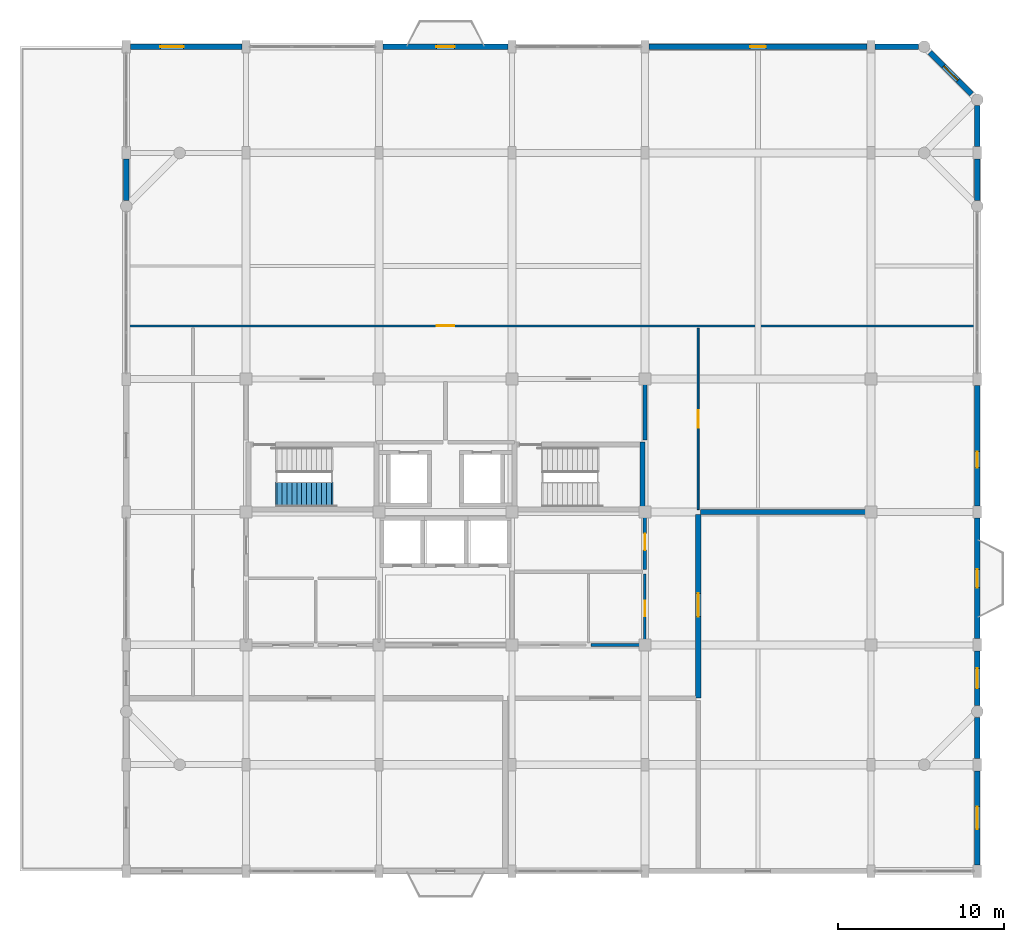
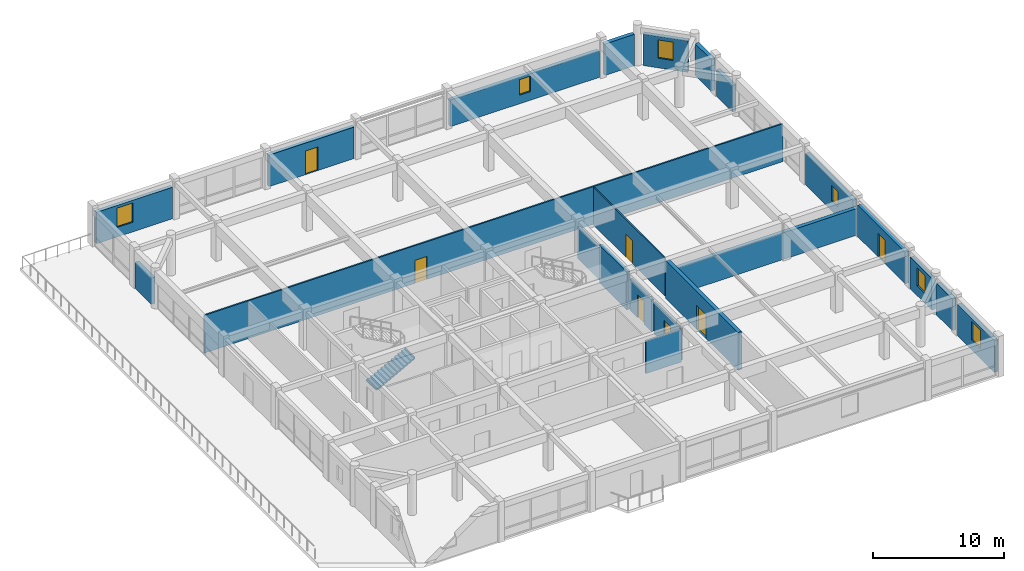
# One storey, part 11 of 13: 22 walls, 7 doors, 6 windows, 1 stair flight, 13 openings, 1 element without a shape of its own.
"""IFC4 building model written with IfcOpenShell, lengths in metres."""

from ifc_helpers import new_model, si_unit, direction, frame, frame_2d, origin, place, context, subcontext, project, spatial, polyline, rectangle, outline, extrude, material, layer, layer_set, type_object, element, fill, aggregate, save


model = new_model("IFC4")

# Units and contexts
model_context = context("Model", 3, precision=1e-05, world=origin(), true_north=direction((0.0, 1.0)))
body_context = subcontext(model_context, "Body", "Model", "MODEL_VIEW")
ifc_project = project(units=[si_unit("LENGTHUNIT", "METRE"), si_unit("AREAUNIT", "SQUARE_METRE"), si_unit("VOLUMEUNIT", "CUBIC_METRE"), si_unit("PLANEANGLEUNIT", "RADIAN"), si_unit("MASSUNIT", "GRAM", prefix="KILO")], contexts=[model_context])

# Site, building, storey
site_placement = place(None, origin())
site = spatial("IfcSite", under=ifc_project, at=site_placement, CompositionType="ELEMENT")
building_placement = place(site_placement, origin())
building = spatial("IfcBuilding", under=site, at=building_placement, Name="Vellmiral Cinema and Media Centre", CompositionType="ELEMENT")
storey_placement = place(building_placement, frame((0.0, 0.0, 39.5)))
storey = spatial("IfcBuildingStorey", under=building, at=storey_placement, Name="L09", CompositionType="ELEMENT", Elevation=39.5)

# Wall
ifc_material_1 = material(Name="Calcium-Silicate Masonry Blockwork", Category="masonry")
ifc_layer_1 = layer(ifc_material_1, 0.1201171875, Name="Calcium-Silicate Masonry Blockwork", Category="masonry")
ifc_material_2 = material(Name="Mineral Wool Acoustic Insulation", Category="insulation")
ifc_layer_2 = layer(ifc_material_2, 0.090087890625, Name="Mineral Wool Acoustic Insulation", Category="insulation")
ifc_layer_3 = layer(ifc_material_1, 0.1201171875, Name="Calcium-Silicate Masonry Blockwork", Category="masonry")
ifc_layer_set_1 = layer_set([ifc_layer_1, ifc_layer_2, ifc_layer_3], Name="Calcium-Silicate Masonry Blockwork")
wall_type_1 = type_object("IfcWallType", Name="WL-AC-330", PredefinedType="SOLIDWALL", material=ifc_layer_set_1)
wall_1_placement = place(storey_placement, frame((151.340087890625, 87.199951171875, 0.0), z_axis=(0.0, 0.0, 1.0), x_axis=(1.0, 0.0, 0.0)))
element("IfcWall", 1, at=wall_1_placement, inside=storey, type_object=wall_type_1, Name="East Sound Design Booth 1 Wall N", PredefinedType="SOLIDWALL", context=body_context, shape_type="SweptSolid", body=[
    extrude(rectangle(XDim=16.554931640625, YDim=0.330078125, at=frame_2d((8.27734375, 0.0))), origin(), (0.0, 0.0, 1.0), 2.485107421875),
])

# Wall, opening, door
wall_2_placement = place(storey_placement, frame((151.199951171875, 76.0, 0.0), z_axis=(0.0, 0.0, 1.0), x_axis=(0.0, 1.0, 0.0)))
wall_2 = element("IfcWall", 2, at=wall_2_placement, inside=storey, type_object=wall_type_1, Name="East Sound Design Booth 1 Wall W", PredefinedType="SOLIDWALL", context=body_context, shape_type="SweptSolid", body=[
    extrude(rectangle(XDim=11.06005859375, YDim=0.330078125, at=frame_2d((5.530029296875, 0.0))), origin(), (0.0, 0.0, 1.0), 3.52001953125),
])
opening_1_placement = place(wall_2_placement, frame((4.89990234375, 0.0, 0.0)))
opening_1 = element("IfcOpeningElement", 3, at=opening_1_placement, cuts=wall_2, Name="Opening D-AC4", PredefinedType="OPENING", context=body_context, shape_type="SweptSolid", body=[
    extrude(rectangle(XDim=1.39990234375, YDim=2.199951171875, at=frame_2d((0.699951171875, 1.10009765625))), frame((0.0, 0.177001953125, 0.0), z_axis=(0.0, -1.0, 0.0), x_axis=(1.0, 0.0, 0.0)), (0.0, 0.0, 1.0), 0.35400390625),
])
ifc_material_3 = material(Name="Acoustic Studio Door", Category="steel")
door_type_1 = type_object("IfcDoorType", Name="DR-AC-1400x2200", OperationType="NOTDEFINED", PredefinedType="DOOR", material=ifc_material_3)
door_1_placement = place(opening_1_placement, origin())
door_1 = element("IfcDoor", 4, at=door_1_placement, inside=storey, type_object=door_type_1, Name="East Sound Design Booth 1 Door", OperationType="SINGLE_SWING_LEFT", OverallHeight=2.199951171875, OverallWidth=1.39990234375, PredefinedType="DOOR", context=body_context, shape_type="SweptSolid", body=[
    extrude(rectangle(XDim=1.39990234375, YDim=2.199951171875, at=frame_2d((0.699951171875, 1.10009765625))), frame((0.0, 0.02490234375, 0.0), z_axis=(0.0, -1.0, 0.0), x_axis=(1.0, 0.0, 0.0)), (0.0, 0.0, 1.0), 0.050048828125),
])
fill(opening_1, door_1)

ifc_material_4 = material(Name="Concrete C40/50", Category="concrete")
ifc_layer_4 = layer(ifc_material_4, 0.2099609375, Name="Concrete C40/50")
ifc_layer_set_2 = layer_set([ifc_layer_4], Name="Concrete C40/50")
wall_type_2 = type_object("IfcWallType", Name="WL-COMP-210", PredefinedType="SOLIDWALL", material=ifc_layer_set_2)
wall_3_placement = place(storey_placement, frame((148.0, 83.739990234375, 0.0), z_axis=(0.0, 0.0, 1.0), x_axis=(0.0, 1.0, 0.0)))
wall_3 = element("IfcWall", 5, at=wall_3_placement, inside=storey, type_object=wall_type_2, Name="Mechanical Riser and Duct Room Wall E", PredefinedType="SOLIDWALL", context=body_context, shape_type="SweptSolid", body=[
    extrude(rectangle(XDim=3.320068359375, YDim=0.2099609375, at=frame_2d((1.66015625, 0.0))), origin(), (0.0, 0.0, 1.0), 2.93505859375),
])
opening_2_placement = place(wall_3_placement, frame((1.159912109375, 0.0, 0.0)))
opening_2 = element("IfcOpeningElement", 6, at=opening_2_placement, cuts=wall_3, Name="Opening D-FD30B", PredefinedType="OPENING", context=body_context, shape_type="SweptSolid", body=[
    extrude(rectangle(XDim=1.0, YDim=2.14990234375, at=frame_2d((0.5, 1.074951171875))), frame((0.0, 0.116943359375, 0.0), z_axis=(0.0, -1.0, 0.0), x_axis=(1.0, 0.0, 0.0)), (0.0, 0.0, 1.0), 0.23388671875),
])
ifc_material_5 = material(Name="Steel Riser Fire Door", Category="steel")
door_type_2 = type_object("IfcDoorType", Name="DR-FD30-1000x2150", OperationType="NOTDEFINED", PredefinedType="DOOR", material=ifc_material_5)
door_2_placement = place(opening_2_placement, origin())
door_2 = element("IfcDoor", 7, at=door_2_placement, inside=storey, type_object=door_type_2, Name="Mechanical Riser and Duct Room Door", OperationType="SINGLE_SWING_LEFT", OverallHeight=2.14990234375, OverallWidth=1.0, PredefinedType="DOOR", context=body_context, shape_type="SweptSolid", body=[
    extrude(rectangle(XDim=1.0, YDim=2.14990234375, at=frame_2d((0.5, 1.074951171875))), frame((0.0, 0.02490234375, 0.0), z_axis=(0.0, -1.0, 0.0), x_axis=(1.0, 0.0, 0.0)), (0.0, 0.0, 1.0), 0.050048828125),
])
fill(opening_2, door_2)

# Wall
ifc_material_6 = material(Name="Concrete C40/50", Category="concrete")
ifc_layer_5 = layer(ifc_material_6, 0.300048828125, Name="Concrete C40/50")
ifc_layer_set_3 = layer_set([ifc_layer_5], Name="Concrete C40/50")
wall_type_3 = type_object("IfcWallType", Name="WL-CORE-300", PredefinedType="SHEAR", material=ifc_layer_set_3)
wall_4_placement = place(storey_placement, frame((147.85009765625, 87.199951171875, 0.0), z_axis=(0.0, 0.0, 1.0), x_axis=(0.0, 1.0, 0.0)))
element("IfcWall", 8, at=wall_4_placement, inside=storey, type_object=wall_type_3, Name="Stair Core Wall ST-T2 L09-E", PredefinedType="SHEAR", context=body_context, shape_type="SweptSolid", body=[
    extrude(rectangle(XDim=4.199951171875, YDim=0.300048828125, at=frame_2d((2.10009765625, 0.0))), origin(), (0.0, 0.0, 1.0), 3.52001953125),
])

# Wall, opening, window
ifc_material_7 = material(Name="Polychrome Glazed Ceramic Cladding", Category="masonry")
ifc_layer_6 = layer(ifc_material_7, 0.320068359375, Name="Polychrome Glazed Ceramic Cladding")
ifc_layer_set_4 = layer_set([ifc_layer_6], Name="Polychrome Glazed Ceramic Cladding")
wall_type_4 = type_object("IfcWallType", Name="WL-EXT-BRICK-320", PredefinedType="SOLIDWALL", material=ifc_layer_set_4)
wall_5_placement = place(storey_placement, frame((168.0, 65.97509765625, 0.0), z_axis=(0.0, 0.0, 1.0), x_axis=(0.0, 1.0, 0.0)))
wall_5 = element("IfcWall", 9, at=wall_5_placement, inside=storey, type_object=wall_type_4, Name="Exterior Facade Wall L09-007", PredefinedType="SOLIDWALL", context=body_context, shape_type="SweptSolid", body=[
    extrude(rectangle(XDim=5.64990234375, YDim=0.320068359375, at=frame_2d((2.824951171875, 0.0))), origin(), (0.0, 0.0, 1.0), 2.93994140625),
])
opening_3_placement = place(wall_5_placement, frame((2.14990234375, 0.0, 0.89990234375)))
opening_3 = element("IfcOpeningElement", 10, at=opening_3_placement, cuts=wall_5, Name="Opening WN-08", PredefinedType="OPENING", context=body_context, shape_type="SweptSolid", body=[
    extrude(rectangle(XDim=1.35009765625, YDim=1.75, at=frame_2d((0.675048828125, 0.875))), frame((0.0, 0.171875, 0.0), z_axis=(0.0, -1.0, 0.0), x_axis=(1.0, 0.0, 0.0)), (0.0, 0.0, 1.0), 0.343994140625),
])
ifc_material_8 = material(Name="Thermally Broken Aluminium Triple Glazing", Category="aluminium")
window_type_1 = type_object("IfcWindowType", Name="WN-1350x1750", PartitioningType="SINGLE_PANEL", PredefinedType="WINDOW", material=ifc_material_8)
window_1_placement = place(opening_3_placement, origin())
window_1 = element("IfcWindow", 11, at=window_1_placement, inside=storey, type_object=window_type_1, Name="Window L09-007", OverallHeight=1.75, OverallWidth=1.35009765625, PartitioningType="SINGLE_PANEL", PredefinedType="WINDOW", context=body_context, shape_type="SweptSolid", body=[
    extrude(rectangle(XDim=1.35009765625, YDim=1.75, at=frame_2d((0.675048828125, 0.875))), frame((0.0, 0.030029296875, 0.0), z_axis=(0.0, -1.0, 0.0), x_axis=(1.0, 0.0, 0.0)), (0.0, 0.0, 1.0), 0.06005859375),
])
fill(opening_3, window_1)

wall_6_placement = place(storey_placement, frame((168.0, 75.550048828125, 0.0), z_axis=(0.0, 0.0, 1.0), x_axis=(0.0, 1.0, 0.0)))
wall_6 = element("IfcWall", 12, at=wall_6_placement, inside=storey, type_object=wall_type_4, Name="Exterior Facade Wall L09-009", PredefinedType="SOLIDWALL", context=body_context, shape_type="SweptSolid", body=[
    extrude(rectangle(XDim=3.27490234375, YDim=0.320068359375, at=frame_2d((1.637451171875, 0.0))), origin(), (0.0, 0.0, 1.0), 2.93994140625),
])
opening_4_placement = place(wall_6_placement, frame((1.03759765625, 0.0, 0.89990234375)))
opening_4 = element("IfcOpeningElement", 13, at=opening_4_placement, cuts=wall_6, Name="Opening WN-10", PredefinedType="OPENING", context=body_context, shape_type="SweptSolid", body=[
    extrude(rectangle(XDim=1.199951171875, YDim=1.699951171875, at=frame_2d((0.60009765625, 0.85009765625))), frame((0.0, 0.171875, 0.0), z_axis=(0.0, -1.0, 0.0), x_axis=(1.0, 0.0, 0.0)), (0.0, 0.0, 1.0), 0.343994140625),
])
ifc_material_9 = material(Name="Thermally Broken Aluminium Triple Glazing", Category="aluminium")
window_type_2 = type_object("IfcWindowType", Name="WN-1200x1700", PartitioningType="SINGLE_PANEL", PredefinedType="WINDOW", material=ifc_material_9)
window_2_placement = place(opening_4_placement, origin())
window_2 = element("IfcWindow", 14, at=window_2_placement, inside=storey, type_object=window_type_2, Name="Window L09-009", OverallHeight=1.699951171875, OverallWidth=1.199951171875, PartitioningType="SINGLE_PANEL", PredefinedType="WINDOW", context=body_context, shape_type="SweptSolid", body=[
    extrude(rectangle(XDim=1.199951171875, YDim=1.699951171875, at=frame_2d((0.60009765625, 0.85009765625))), frame((0.0, 0.030029296875, 0.0), z_axis=(0.0, -1.0, 0.0), x_axis=(1.0, 0.0, 0.0)), (0.0, 0.0, 1.0), 0.06005859375),
])
fill(opening_4, window_2)

wall_7_placement = place(storey_placement, frame((168.0, 87.574951171875, 0.0), z_axis=(0.0, 0.0, 1.0), x_axis=(0.0, 1.0, 0.0)))
wall_7 = element("IfcWall", 15, at=wall_7_placement, inside=storey, type_object=wall_type_4, Name="Exterior Facade Wall L09-011", PredefinedType="SOLIDWALL", context=body_context, shape_type="SweptSolid", body=[
    extrude(rectangle(XDim=7.25, YDim=0.320068359375, at=frame_2d((3.625, 0.0))), origin(), (0.0, 0.0, 1.0), 2.925048828125),
])
opening_5_placement = place(wall_7_placement, frame((2.300048828125, 0.0, 0.89990234375)))
opening_5 = element("IfcOpeningElement", 16, at=opening_5_placement, cuts=wall_7, Name="Opening WN-12", PredefinedType="OPENING", context=body_context, shape_type="SweptSolid", body=[
    extrude(rectangle(XDim=0.949951171875, YDim=1.449951171875, at=frame_2d((0.47509765625, 0.72509765625))), frame((0.0, 0.171875, 0.0), z_axis=(0.0, -1.0, 0.0), x_axis=(1.0, 0.0, 0.0)), (0.0, 0.0, 1.0), 0.343994140625),
])
ifc_material_10 = material(Name="Thermally Broken Aluminium Triple Glazing", Category="aluminium")
window_type_3 = type_object("IfcWindowType", Name="WN-0950x1450", PartitioningType="SINGLE_PANEL", PredefinedType="WINDOW", material=ifc_material_10)
window_3_placement = place(opening_5_placement, origin())
window_3 = element("IfcWindow", 17, at=window_3_placement, inside=storey, type_object=window_type_3, Name="Window L09-011", OverallHeight=1.449951171875, OverallWidth=0.949951171875, PartitioningType="SINGLE_PANEL", PredefinedType="WINDOW", context=body_context, shape_type="SweptSolid", body=[
    extrude(rectangle(XDim=0.949951171875, YDim=1.449951171875, at=frame_2d((0.47509765625, 0.72509765625))), frame((0.0, 0.030029296875, 0.0), z_axis=(0.0, -1.0, 0.0), x_axis=(1.0, 0.0, 0.0)), (0.0, 0.0, 1.0), 0.06005859375),
])
fill(opening_5, window_3)

# Wall
wall_8_placement = place(storey_placement, frame((168.0, 105.949951171875, 0.0), z_axis=(0.0, 0.0, 1.0), x_axis=(0.0, 1.0, 0.0)))
element("IfcWall", 18, at=wall_8_placement, inside=storey, type_object=wall_type_4, Name="Exterior Facade Wall L09-013", PredefinedType="SOLIDWALL", context=body_context, shape_type="SweptSolid", body=[
    extrude(rectangle(XDim=2.47509765625, YDim=0.320068359375, at=frame_2d((1.237548828125, 0.0))), origin(), (0.0, 0.0, 1.0), 2.47509765625),
])

# Wall, opening, window
wall_9_placement = place(storey_placement, frame((167.64990234375, 112.35009765625, 0.0), z_axis=(0.0, 0.0, 1.0), x_axis=(-0.707106781187, 0.707106781187, 0.0)))
wall_9 = element("IfcWall", 19, at=wall_9_placement, inside=storey, type_object=wall_type_4, Name="Exterior Facade Wall L09-015", PredefinedType="SOLIDWALL", context=body_context, shape_type="SweptSolid", body=[
    extrude(rectangle(XDim=3.53564453125, YDim=0.320068359375, at=frame_2d((1.767822265625, 0.0))), origin(), (0.0, 0.0, 1.0), 2.93505859375),
])
opening_6_placement = place(wall_9_placement, frame((1.167724609375, 0.0, 0.89990234375)))
opening_6 = element("IfcOpeningElement", 20, at=opening_6_placement, cuts=wall_9, Name="Opening WN-10", PredefinedType="OPENING", context=body_context, shape_type="SweptSolid", body=[
    extrude(rectangle(XDim=1.199951171875, YDim=1.699951171875, at=frame_2d((0.60009765625, 0.85009765625))), frame((0.0, 0.171875, 0.0), z_axis=(0.0, -1.0, 0.0), x_axis=(1.0, 0.0, 0.0)), (0.0, 0.0, 1.0), 0.343994140625),
])
window_4_placement = place(opening_6_placement, origin())
window_4 = element("IfcWindow", 21, at=window_4_placement, inside=storey, type_object=window_type_2, Name="Window L09-015", OverallHeight=1.699951171875, OverallWidth=1.199951171875, PartitioningType="SINGLE_PANEL", PredefinedType="WINDOW", context=body_context, shape_type="SweptSolid", body=[
    extrude(rectangle(XDim=1.199951171875, YDim=1.699951171875, at=frame_2d((0.60009765625, 0.85009765625))), frame((0.0, 0.030029296875, 0.0), z_axis=(0.0, -1.0, 0.0), x_axis=(1.0, 0.0, 0.0)), (0.0, 0.0, 1.0), 0.06005859375),
])
fill(opening_6, window_4)

wall_10_placement = place(storey_placement, frame((161.35009765625, 115.199951171875, 0.0), z_axis=(0.0, 0.0, 1.0), x_axis=(-1.0, 0.0, 0.0)))
wall_10 = element("IfcWall", 22, at=wall_10_placement, inside=storey, type_object=wall_type_4, Name="Exterior Facade Wall L09-017", PredefinedType="SOLIDWALL", context=body_context, shape_type="SweptSolid", body=[
    extrude(rectangle(XDim=13.10009765625, YDim=0.320068359375, at=frame_2d((6.550048828125, 0.0))), origin(), (0.0, 0.0, 1.0), 2.47509765625),
])
opening_7_placement = place(wall_10_placement, frame((6.074951171875, 0.0, 0.800048828125)))
opening_7 = element("IfcOpeningElement", 23, at=opening_7_placement, cuts=wall_10, Name="Opening WN-12", PredefinedType="OPENING", context=body_context, shape_type="SweptSolid", body=[
    extrude(rectangle(XDim=0.949951171875, YDim=1.449951171875, at=frame_2d((0.47509765625, 0.72509765625))), frame((0.0, 0.171875, 0.0), z_axis=(0.0, -1.0, 0.0), x_axis=(1.0, 0.0, 0.0)), (0.0, 0.0, 1.0), 0.343994140625),
])
window_5_placement = place(opening_7_placement, origin())
window_5 = element("IfcWindow", 24, at=window_5_placement, inside=storey, type_object=window_type_3, Name="Window L09-017", OverallHeight=1.449951171875, OverallWidth=0.949951171875, PartitioningType="SINGLE_PANEL", PredefinedType="WINDOW", context=body_context, shape_type="SweptSolid", body=[
    extrude(rectangle(XDim=0.949951171875, YDim=1.449951171875, at=frame_2d((0.47509765625, 0.72509765625))), frame((0.0, 0.030029296875, 0.0), z_axis=(0.0, -1.0, 0.0), x_axis=(1.0, 0.0, 0.0)), (0.0, 0.0, 1.0), 0.06005859375),
])
fill(opening_7, window_5)

# Wall, opening, door
wall_11_placement = place(storey_placement, frame((139.75, 115.199951171875, 0.0), z_axis=(0.0, 0.0, 1.0), x_axis=(-1.0, 0.0, 0.0)))
wall_11 = element("IfcWall", 25, at=wall_11_placement, inside=storey, type_object=wall_type_4, Name="Exterior Facade Wall L09-019", PredefinedType="SOLIDWALL", context=body_context, shape_type="SweptSolid", body=[
    extrude(rectangle(XDim=7.5, YDim=0.320068359375, at=frame_2d((3.75, 0.0))), origin(), (0.0, 0.0, 1.0), 2.93994140625),
])
opening_8_placement = place(wall_11_placement, frame((3.199951171875, 0.0, 0.0)))
opening_8 = element("IfcOpeningElement", 26, at=opening_8_placement, cuts=wall_11, Name="Opening DE-06", PredefinedType="OPENING", context=body_context, shape_type="SweptSolid", body=[
    extrude(rectangle(XDim=1.10009765625, YDim=2.199951171875, at=frame_2d((0.550048828125, 1.10009765625))), frame((0.0, 0.171875, 0.0), z_axis=(0.0, -1.0, 0.0), x_axis=(1.0, 0.0, 0.0)), (0.0, 0.0, 1.0), 0.343994140625),
])
ifc_material_11 = material(Name="Thermally Broken Glazed Aluminium and Bronze Door", Category="aluminium")
door_type_3 = type_object("IfcDoorType", Name="DR-MIRA-1100x2200", OperationType="NOTDEFINED", PredefinedType="DOOR", material=ifc_material_11)
door_3_placement = place(opening_8_placement, frame((1.10009765625, 0.0, 0.0), z_axis=(0.0, 0.0, 1.0), x_axis=(-1.0, 0.0, 0.0)))
door_3 = element("IfcDoor", 27, at=door_3_placement, inside=storey, type_object=door_type_3, Name="Mirador Balcony Door L09-N", OperationType="SINGLE_SWING_LEFT", OverallHeight=2.199951171875, OverallWidth=1.10009765625, PredefinedType="DOOR", context=body_context, shape_type="SweptSolid", body=[
    extrude(rectangle(XDim=1.10009765625, YDim=2.199951171875, at=frame_2d((0.550048828125, 1.10009765625))), frame((0.0, 0.02490234375, 0.0), z_axis=(0.0, -1.0, 0.0), x_axis=(1.0, 0.0, 0.0)), (0.0, 0.0, 1.0), 0.050048828125),
])
fill(opening_8, door_3)

# Wall, opening, window
wall_12_placement = place(storey_placement, frame((123.75, 115.199951171875, 0.0), z_axis=(0.0, 0.0, 1.0), x_axis=(-1.0, 0.0, 0.0)))
wall_12 = element("IfcWall", 28, at=wall_12_placement, inside=storey, type_object=wall_type_4, Name="Exterior Facade Wall L09-021", PredefinedType="SOLIDWALL", context=body_context, shape_type="SweptSolid", body=[
    extrude(rectangle(XDim=6.699951171875, YDim=0.320068359375, at=frame_2d((3.35009765625, 0.0))), origin(), (0.0, 0.0, 1.0), 2.93994140625),
])
opening_9_placement = place(wall_12_placement, frame((3.5, 0.0, 0.89990234375)))
opening_9 = element("IfcOpeningElement", 29, at=opening_9_placement, cuts=wall_12, Name="Opening WN-07", PredefinedType="OPENING", context=body_context, shape_type="SweptSolid", body=[
    extrude(rectangle(XDim=1.39990234375, YDim=1.800048828125, at=frame_2d((0.699951171875, 0.89990234375))), frame((0.0, 0.171875, 0.0), z_axis=(0.0, -1.0, 0.0), x_axis=(1.0, 0.0, 0.0)), (0.0, 0.0, 1.0), 0.343994140625),
])
ifc_material_12 = material(Name="Thermally Broken Aluminium Triple Glazing", Category="aluminium")
window_type_4 = type_object("IfcWindowType", Name="WN-1400x1800", PartitioningType="SINGLE_PANEL", PredefinedType="WINDOW", material=ifc_material_12)
window_6_placement = place(opening_9_placement, origin())
window_6 = element("IfcWindow", 30, at=window_6_placement, inside=storey, type_object=window_type_4, Name="Window L09-021", OverallHeight=1.800048828125, OverallWidth=1.39990234375, PartitioningType="SINGLE_PANEL", PredefinedType="WINDOW", context=body_context, shape_type="SweptSolid", body=[
    extrude(rectangle(XDim=1.39990234375, YDim=1.800048828125, at=frame_2d((0.699951171875, 0.89990234375))), frame((0.0, 0.030029296875, 0.0), z_axis=(0.0, -1.0, 0.0), x_axis=(1.0, 0.0, 0.0)), (0.0, 0.0, 1.0), 0.06005859375),
])
fill(opening_9, window_6)

# Walls
wall_13_placement = place(storey_placement, frame((116.800048828125, 108.425048828125, 0.0), z_axis=(0.0, 0.0, 1.0), x_axis=(0.0, -1.0, 0.0)))
element("IfcWall", 31, at=wall_13_placement, inside=storey, type_object=wall_type_4, Name="Exterior Facade Wall L09-023", PredefinedType="SOLIDWALL", context=body_context, shape_type="SweptSolid", body=[
    extrude(rectangle(XDim=2.47509765625, YDim=0.320068359375, at=frame_2d((1.237548828125, 0.0))), origin(), (0.0, 0.0, 1.0), 2.47509765625),
])
ifc_material_13 = material(Name="Vosges Red Sandstone Masonry", Category="masonry")
ifc_layer_7 = layer(ifc_material_13, 0.340087890625, Name="Vosges Red Sandstone Masonry")
ifc_layer_set_5 = layer_set([ifc_layer_7], Name="Vosges Red Sandstone Masonry")
wall_type_5 = type_object("IfcWallType", Name="WL-EXT-SAND-340", PredefinedType="SOLIDWALL", material=ifc_layer_set_5)
wall_14_placement = place(storey_placement, frame((168.0, 72.375, 0.0), z_axis=(0.0, 0.0, 1.0), x_axis=(0.0, 1.0, 0.0)))
element("IfcWall", 32, at=wall_14_placement, inside=storey, type_object=wall_type_5, Name="Exterior Facade Wall L09-008", PredefinedType="SOLIDWALL", context=body_context, shape_type="SweptSolid", body=[
    extrude(rectangle(XDim=2.47509765625, YDim=0.340087890625, at=frame_2d((1.237548828125, 0.0))), origin(), (0.0, 0.0, 1.0), 2.93994140625),
])

# Wall, opening, door
wall_15_placement = place(storey_placement, frame((168.0, 79.574951171875, 0.0), z_axis=(0.0, 0.0, 1.0), x_axis=(0.0, 1.0, 0.0)))
wall_15 = element("IfcWall", 33, at=wall_15_placement, inside=storey, type_object=wall_type_5, Name="Exterior Facade Wall L09-010", PredefinedType="SOLIDWALL", context=body_context, shape_type="SweptSolid", body=[
    extrude(rectangle(XDim=7.25, YDim=0.340087890625, at=frame_2d((3.625, 0.0))), origin(), (0.0, 0.0, 1.0), 2.93994140625),
])
opening_10_placement = place(wall_15_placement, frame((3.074951171875, 0.0, 0.0)))
opening_10 = element("IfcOpeningElement", 34, at=opening_10_placement, cuts=wall_15, Name="Opening DE-06", PredefinedType="OPENING", context=body_context, shape_type="SweptSolid", body=[
    extrude(rectangle(XDim=1.10009765625, YDim=2.199951171875, at=frame_2d((0.550048828125, 1.10009765625))), frame((0.0, 0.18212890625, 0.0), z_axis=(0.0, -1.0, 0.0), x_axis=(1.0, 0.0, 0.0)), (0.0, 0.0, 1.0), 0.364013671875),
])
door_4_placement = place(opening_10_placement, frame((1.10009765625, 0.0, 0.0), z_axis=(0.0, 0.0, 1.0), x_axis=(-1.0, 0.0, 0.0)))
door_4 = element("IfcDoor", 35, at=door_4_placement, inside=storey, type_object=door_type_3, Name="Mirador Balcony Door L09-E", OperationType="SINGLE_SWING_RIGHT", OverallHeight=2.199951171875, OverallWidth=1.10009765625, PredefinedType="DOOR", context=body_context, shape_type="SweptSolid", body=[
    extrude(rectangle(XDim=1.10009765625, YDim=2.199951171875, at=frame_2d((0.550048828125, 1.10009765625))), frame((0.0, 0.02490234375, 0.0), z_axis=(0.0, -1.0, 0.0), x_axis=(1.0, 0.0, 0.0)), (0.0, 0.0, 1.0), 0.050048828125),
])
fill(opening_10, door_4)

# Walls
wall_16_placement = place(storey_placement, frame((168.0, 109.175048828125, 0.0), z_axis=(0.0, 0.0, 1.0), x_axis=(0.0, 1.0, 0.0)))
element("IfcWall", 36, at=wall_16_placement, inside=storey, type_object=wall_type_5, Name="Exterior Facade Wall L09-014", PredefinedType="SOLIDWALL", context=body_context, shape_type="SweptSolid", body=[
    extrude(rectangle(XDim=2.474853515625, YDim=0.340087890625, at=frame_2d((1.2373046875, 0.0))), origin(), (0.0, 0.0, 1.0), 2.93994140625),
])
wall_17_placement = place(storey_placement, frame((164.449951171875, 115.199951171875, 0.0), z_axis=(0.0, 0.0, 1.0), x_axis=(-1.0, 0.0, 0.0)))
element("IfcWall", 37, at=wall_17_placement, inside=storey, type_object=wall_type_5, Name="Exterior Facade Wall L09-016", PredefinedType="SOLIDWALL", context=body_context, shape_type="SweptSolid", body=[
    extrude(rectangle(XDim=2.599853515625, YDim=0.340087890625, at=frame_2d((1.2998046875, 0.0))), origin(), (0.0, 0.0, 1.0), 2.93994140625),
])
ifc_material_14 = material(Name="Concrete C40/50", Category="concrete")
ifc_layer_8 = layer(ifc_material_14, 0.22998046875, Name="Concrete C40/50")
ifc_layer_set_6 = layer_set([ifc_layer_8], Name="Concrete C40/50")
wall_type_6 = type_object("IfcWallType", Name="WL-FFL-230", PredefinedType="SOLIDWALL", material=ifc_layer_set_6)
wall_18_placement = place(storey_placement, frame((148.0, 91.5400390625, 0.0), z_axis=(0.0, 0.0, 1.0), x_axis=(0.0, 1.0, 0.0)))
element("IfcWall", 38, at=wall_18_placement, inside=storey, type_object=wall_type_6, Name="Firefighting Lobby East Wall E", PredefinedType="SOLIDWALL", context=body_context, shape_type="SweptSolid", body=[
    extrude(rectangle(XDim=3.52001953125, YDim=0.22998046875, at=frame_2d((1.760009765625, 0.0))), origin(), (0.0, 0.0, 1.0), 2.93505859375),
])

# Wall, opening, door
ifc_material_15 = material(Name="Gypsum Plasterboard")
ifc_layer_9 = layer(ifc_material_15, 0.02490234375, Name="Gypsum Plasterboard", Category="gypsum")
ifc_material_16 = material(Name="Mineral Wool Acoustic Insulation", Category="insulation")
ifc_layer_10 = layer(ifc_material_16, 0.06005859375, Name="Mineral Wool Acoustic Insulation", Category="insulation")
ifc_layer_11 = layer(ifc_material_15, 0.02490234375, Name="Gypsum Plasterboard", Category="gypsum")
ifc_layer_set_7 = layer_set([ifc_layer_9, ifc_layer_10, ifc_layer_11], Name="Gypsum Plasterboard")
wall_type_7 = type_object("IfcWallType", Name="WL-PART-110", PredefinedType="PARTITIONING", material=ifc_layer_set_7)
wall_19_placement = place(storey_placement, frame((151.199951171875, 87.340087890625, 0.0), z_axis=(0.0, 0.0, 1.0), x_axis=(0.0, 1.0, 0.0)))
wall_19 = element("IfcWall", 39, at=wall_19_placement, inside=storey, type_object=wall_type_7, Name="East Sound Conference Room Wall W", PredefinedType="PARTITIONING", context=body_context, shape_type="SweptSolid", body=[
    extrude(rectangle(XDim=10.919921875, YDim=0.110107421875, at=frame_2d((5.4599609375, 0.0))), origin(), (0.0, 0.0, 1.0), 3.52001953125),
])
opening_11_placement = place(wall_19_placement, frame((4.93505859375, 0.0, 0.0)))
opening_11 = element("IfcOpeningElement", 40, at=opening_11_placement, cuts=wall_19, Name="Opening D-I07", PredefinedType="OPENING", context=body_context, shape_type="SweptSolid", body=[
    extrude(rectangle(XDim=1.050048828125, YDim=2.14990234375, at=frame_2d((0.52490234375, 1.074951171875))), frame((0.0, 0.06689453125, 0.0), z_axis=(0.0, -1.0, 0.0), x_axis=(1.0, 0.0, 0.0)), (0.0, 0.0, 1.0), 0.134033203125),
])
ifc_material_17 = material(Name="Laminated Timber Door", Category="wood")
door_type_4 = type_object("IfcDoorType", Name="DR-INT-1050x2150", OperationType="NOTDEFINED", PredefinedType="DOOR", material=ifc_material_17)
door_5_placement = place(opening_11_placement, frame((1.050048828125, 0.0, 0.0), z_axis=(0.0, 0.0, 1.0), x_axis=(-1.0, 0.0, 0.0)))
door_5 = element("IfcDoor", 41, at=door_5_placement, inside=storey, type_object=door_type_4, Name="East Sound Conference Room Door", OperationType="SINGLE_SWING_RIGHT", OverallHeight=2.14990234375, OverallWidth=1.050048828125, PredefinedType="DOOR", context=body_context, shape_type="SweptSolid", body=[
    extrude(rectangle(XDim=1.050048828125, YDim=2.14990234375, at=frame_2d((0.52490234375, 1.074951171875))), frame((0.0, 0.02490234375, 0.0), z_axis=(0.0, -1.0, 0.0), x_axis=(1.0, 0.0, 0.0)), (0.0, 0.0, 1.0), 0.050048828125),
])
fill(opening_11, door_5)

ifc_material_18 = material(Name="Gypsum Plasterboard")
ifc_layer_12 = layer(ifc_material_18, 0.02490234375, Name="Gypsum Plasterboard", Category="gypsum")
ifc_material_19 = material(Name="Mineral Wool Acoustic Insulation", Category="insulation")
ifc_layer_13 = layer(ifc_material_19, 0.080078125, Name="Mineral Wool Acoustic Insulation", Category="insulation")
ifc_layer_14 = layer(ifc_material_18, 0.02490234375, Name="Gypsum Plasterboard", Category="gypsum")
ifc_layer_set_8 = layer_set([ifc_layer_12, ifc_layer_13, ifc_layer_14], Name="Gypsum Plasterboard")
wall_type_8 = type_object("IfcWallType", Name="WL-PART-130", PredefinedType="PARTITIONING", material=ifc_layer_set_8)
wall_20_placement = place(storey_placement, frame((116.89501953125, 98.39990234375, 0.0), z_axis=(0.0, 0.0, 1.0), x_axis=(1.0, 0.0, 0.0)))
wall_20 = element("IfcWall", 42, at=wall_20_placement, inside=storey, type_object=wall_type_8, Name="North Open Podcast Editorial Floor Wall S", PredefinedType="PARTITIONING", context=body_context, shape_type="SweptSolid", body=[
    extrude(rectangle(XDim=51.010009765625, YDim=0.1298828125, at=frame_2d((25.5048828125, 0.0))), origin(), (0.0, 0.0, 1.0), 3.52001953125),
])
opening_12_placement = place(wall_20_placement, frame((18.580078125, 0.0, 0.0)))
opening_12 = element("IfcOpeningElement", 43, at=opening_12_placement, cuts=wall_20, Name="Opening D-I07", PredefinedType="OPENING", context=body_context, shape_type="SweptSolid", body=[
    extrude(rectangle(XDim=1.050048828125, YDim=2.14990234375, at=frame_2d((0.52490234375, 1.074951171875))), frame((0.0, 0.076904296875, 0.0), z_axis=(0.0, -1.0, 0.0), x_axis=(1.0, 0.0, 0.0)), (0.0, 0.0, 1.0), 0.15380859375),
])
door_6_placement = place(opening_12_placement, origin())
door_6 = element("IfcDoor", 44, at=door_6_placement, inside=storey, type_object=door_type_4, Name="North Open Podcast Editorial Floor Door", OperationType="SINGLE_SWING_LEFT", OverallHeight=2.14990234375, OverallWidth=1.050048828125, PredefinedType="DOOR", context=body_context, shape_type="SweptSolid", body=[
    extrude(rectangle(XDim=1.050048828125, YDim=2.14990234375, at=frame_2d((0.52490234375, 1.074951171875))), frame((0.0, 0.02490234375, 0.0), z_axis=(0.0, -1.0, 0.0), x_axis=(1.0, 0.0, 0.0)), (0.0, 0.0, 1.0), 0.050048828125),
])
fill(opening_12, door_6)

ifc_material_20 = material(Name="Gypsum Plasterboard")
ifc_layer_15 = layer(ifc_material_20, 0.02490234375, Name="Gypsum Plasterboard", Category="gypsum")
ifc_material_21 = material(Name="Mineral Wool Acoustic Insulation", Category="insulation")
ifc_layer_16 = layer(ifc_material_21, 0.10009765625, Name="Mineral Wool Acoustic Insulation", Category="insulation")
ifc_layer_17 = layer(ifc_material_20, 0.02490234375, Name="Gypsum Plasterboard", Category="gypsum")
ifc_layer_set_9 = layer_set([ifc_layer_15, ifc_layer_16, ifc_layer_17], Name="Gypsum Plasterboard")
wall_type_9 = type_object("IfcWallType", Name="WL-PART-150", PredefinedType="PARTITIONING", material=ifc_layer_set_9)
wall_21_placement = place(storey_placement, frame((148.0, 79.340087890625, 0.0), z_axis=(0.0, 0.0, 1.0), x_axis=(0.0, 1.0, 0.0)))
wall_21 = element("IfcWall", 45, at=wall_21_placement, inside=storey, type_object=wall_type_9, Name="Equipment Store Room Wall E", PredefinedType="PARTITIONING", context=body_context, shape_type="SweptSolid", body=[
    extrude(rectangle(XDim=4.119873046875, YDim=0.14990234375, at=frame_2d((2.06005859375, 0.0))), origin(), (0.0, 0.0, 1.0), 2.93505859375),
])
opening_13_placement = place(wall_21_placement, frame((1.5849609375, 0.0, 0.0)))
opening_13 = element("IfcOpeningElement", 46, at=opening_13_placement, cuts=wall_21, Name="Opening D-I09", PredefinedType="OPENING", context=body_context, shape_type="SweptSolid", body=[
    extrude(rectangle(XDim=0.949951171875, YDim=2.14990234375, at=frame_2d((0.47509765625, 1.074951171875))), frame((0.0, 0.0869140625, 0.0), z_axis=(0.0, -1.0, 0.0), x_axis=(1.0, 0.0, 0.0)), (0.0, 0.0, 1.0), 0.173828125),
])
ifc_material_22 = material(Name="Moisture-Resistant Timber Door", Category="wood")
door_type_5 = type_object("IfcDoorType", Name="DR-INT-950x2150", OperationType="NOTDEFINED", PredefinedType="DOOR", material=ifc_material_22)
door_7_placement = place(opening_13_placement, origin())
door_7 = element("IfcDoor", 47, at=door_7_placement, inside=storey, type_object=door_type_5, Name="Equipment Store Room Door", OperationType="SINGLE_SWING_LEFT", OverallHeight=2.14990234375, OverallWidth=0.949951171875, PredefinedType="DOOR", context=body_context, shape_type="SweptSolid", body=[
    extrude(rectangle(XDim=0.949951171875, YDim=2.14990234375, at=frame_2d((0.47509765625, 1.074951171875))), frame((0.0, 0.02490234375, 0.0), z_axis=(0.0, -1.0, 0.0), x_axis=(1.0, 0.0, 0.0)), (0.0, 0.0, 1.0), 0.050048828125),
])
fill(opening_13, door_7)

# Wall
ifc_material_23 = material(Name="Gypsum Plasterboard")
ifc_layer_18 = layer(ifc_material_23, 0.02490234375, Name="Gypsum Plasterboard", Category="gypsum")
ifc_material_24 = material(Name="Mineral Wool Acoustic Insulation", Category="insulation")
ifc_layer_19 = layer(ifc_material_24, 0.1201171875, Name="Mineral Wool Acoustic Insulation", Category="insulation")
ifc_layer_20 = layer(ifc_material_23, 0.02490234375, Name="Gypsum Plasterboard", Category="gypsum")
ifc_layer_set_10 = layer_set([ifc_layer_18, ifc_layer_19, ifc_layer_20], Name="Gypsum Plasterboard")
wall_type_10 = type_object("IfcWallType", Name="WL-PART-170", PredefinedType="PARTITIONING", material=ifc_layer_set_10)
wall_22_placement = place(storey_placement, frame((144.739990234375, 79.199951171875, 0.0), z_axis=(0.0, 0.0, 1.0), x_axis=(1.0, 0.0, 0.0)))
element("IfcWall", 48, at=wall_22_placement, inside=storey, type_object=wall_type_10, Name="Equipment Store Room Wall S", PredefinedType="PARTITIONING", context=body_context, shape_type="SweptSolid", body=[
    extrude(rectangle(XDim=3.1201171875, YDim=0.169921875, at=frame_2d((1.56005859375, 0.0))), origin(), (0.0, 0.0, 1.0), 3.034912109375),
])

# Stair, stair flight
ifc_material_25 = material(Name="Concrete C40/50", Category="concrete")
stair_type = type_object("IfcStairType", Name="ST-2RET-380", PredefinedType="HALF_TURN_STAIR", material=ifc_material_25)
stair_placement = place(storey_placement, origin())
stair = element("IfcStair", 49, at=stair_placement, inside=storey, type_object=stair_type, Name="Protected Escape Stair ST-T1 (L09)", PredefinedType="HALF_TURN_STAIR")
ifc_material_26 = material(Name="Concrete C40/50", Category="concrete")
stair_flight_type = type_object("IfcStairFlightType", Name="STF-STR-380", PredefinedType="STRAIGHT", material=ifc_material_26)
stair_flight_placement = place(storey_placement, frame((125.85009765625, 88.25, 0.0), z_axis=(0.0, 0.0, 1.0), x_axis=(1.0, 0.0, 0.0)))
stair_flight = element("IfcStairFlight", 50, at=stair_flight_placement, type_object=stair_flight_type, Name="ST-T1 flight 1", NumberOfRisers=12, NumberOfTreads=11, PredefinedType="STRAIGHT", RiserHeight=0.158333333, TreadLength=0.3, context=body_context, shape_type="SweptSolid", body=[
    extrude(outline(polyline([(-0.080078125, 0.0), (-0.080078125, 0.094970703125), (0.0, 0.158447265625), (0.300048828125, 0.158447265625), (0.300048828125, 0.316650390625), (0.60009765625, 0.316650390625), (0.60009765625, 0.47509765625), (0.89990234375, 0.47509765625), (0.89990234375, 0.63330078125), (1.199951171875, 0.63330078125), (1.199951171875, 0.791748046875), (1.5, 0.791748046875), (1.5, 0.949951171875), (1.800048828125, 0.949951171875), (1.800048828125, 1.1083984375), (2.10009765625, 1.1083984375), (2.10009765625, 1.2666015625), (2.39990234375, 1.2666015625), (2.39990234375, 1.425048828125), (2.699951171875, 1.425048828125), (2.699951171875, 1.583251953125), (3.0, 1.583251953125), (3.0, 1.74169921875), (3.300048828125, 1.74169921875), (3.300048828125, 1.89990234375), (3.380126953125, 1.89990234375), (3.380126953125, 1.739990234375), (0.179931640625, 0.0), (-0.080078125, 0.0)])), frame((0.0, 0.75, 0.0), z_axis=(0.0, -1.0, 0.0), x_axis=(1.0, 0.0, 0.0)), (0.0, 0.0, 1.0), 1.5),
])
aggregate(stair, [stair_flight])

save(model, "model.ifc")
